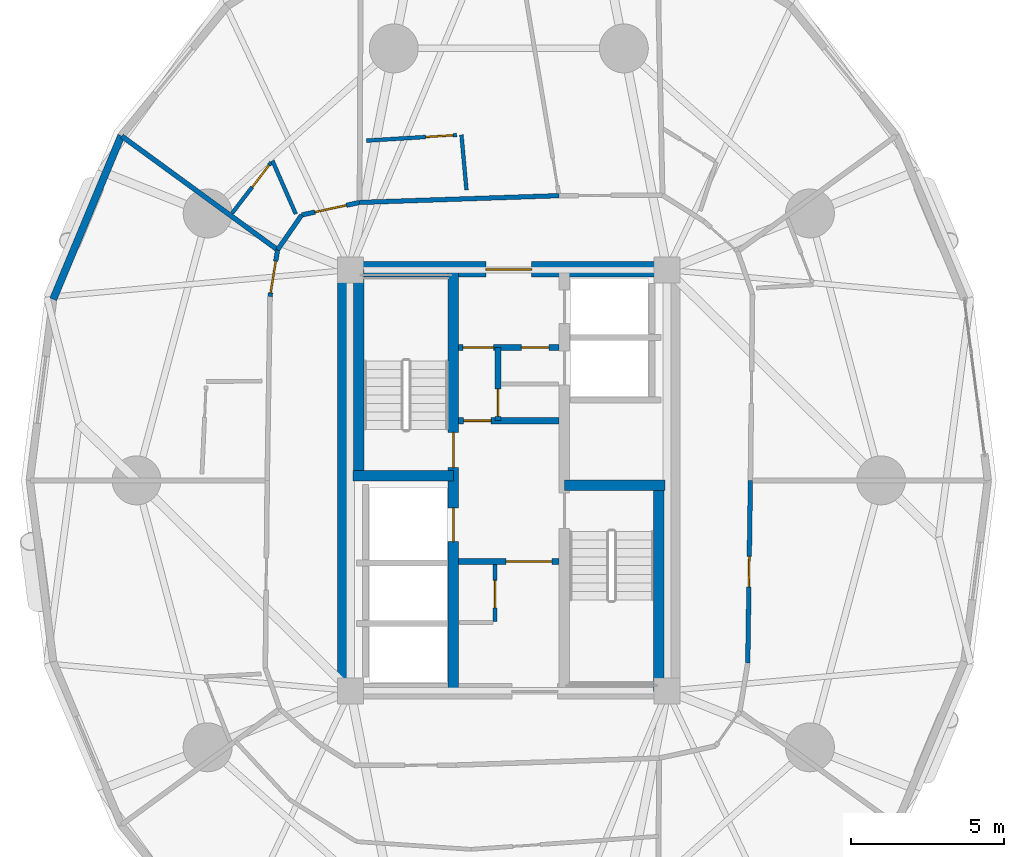
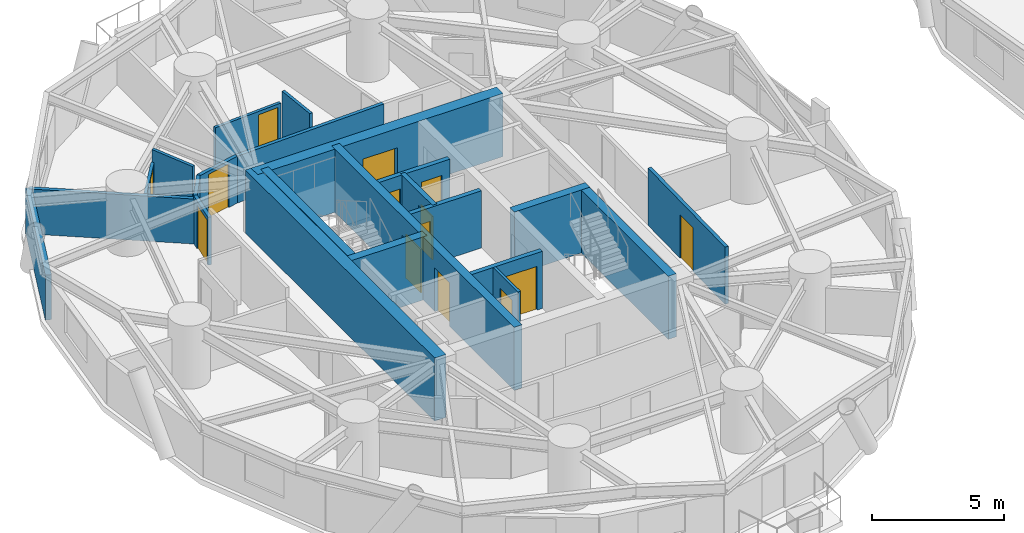
# One storey, part 10 of 18: 23 walls, 14 doors, 14 openings.
"""IFC4 building model written with IfcOpenShell, lengths in metres."""

import ifcopenshell
import ifcopenshell.guid

model = None  # the IFC model being written
_history = None  # IfcOwnerHistory: only IFC2X3 demands one
_inside = {}  # id of a spatial element -> (the spatial element, [elements in it])
_under = {}  # id of a project, library or spatial element -> (it, [spatial elements below it])
_declared = {}  # id of a project -> (the project, [libraries it declares])
_typed = {}  # id of a type object -> (the type object, [elements of that type])
_made_of = {}  # id of a material, layer set ... -> (it, [elements and type objects made of it])


def new_model(schema):
    """Start an empty IFC model of exactly this schema.

    Asked for "IFC4X3", IfcOpenShell would pick the latest addendum, in which some entities
    have other attributes; the version numbers below select the first issue.
    IFC2X3 requires an IfcOwnerHistory on every rooted entity: one is made here for all.
    """
    global model, _history
    if schema == "IFC4X3":
        model = ifcopenshell.file(schema_version=(4, 3, 0, 0))
    else:
        model = ifcopenshell.file(schema=schema)
    _inside.clear()
    _under.clear()
    _declared.clear()
    _typed.clear()
    _made_of.clear()
    _history = None
    if model.schema == "IFC2X3":
        org = make("IfcOrganization", Name="unknown")
        user = make(
            "IfcPersonAndOrganization",
            ThePerson=make("IfcPerson", FamilyName="unknown"),
            TheOrganization=org,
        )
        app = make(
            "IfcApplication",
            ApplicationDeveloper=org,
            Version="unknown",
            ApplicationFullName="unknown",
            ApplicationIdentifier="unknown",
        )
        _history = make(
            "IfcOwnerHistory",
            OwningUser=user,
            OwningApplication=app,
            ChangeAction="ADDED",
            CreationDate=0,
        )
    return model


def make(cls, **values):
    """One entity of the class cls with the attributes given. An attribute that is None is left unset."""
    return model.create_entity(
        cls, **{name: value for name, value in values.items() if value is not None}
    )


def rooted(cls, **values):
    """An entity with a GlobalId (a new one), such as an element, a storey or a relation."""
    return make(cls, GlobalId=ifcopenshell.guid.new(), OwnerHistory=_history, **values)


def si_unit(unit_type, name, prefix=None):
    """IfcSIUnit, for example si_unit("LENGTHUNIT", "METRE", prefix="MILLI")."""
    return make("IfcSIUnit", UnitType=unit_type, Prefix=prefix, Name=name)


def assignment(units):
    """IfcUnitAssignment: the units of a project."""
    return None if units is None else make("IfcUnitAssignment", Units=units)


def point(xyz):
    """IfcCartesianPoint."""
    return None if xyz is None else make("IfcCartesianPoint", Coordinates=xyz)


def direction(xyz):
    """IfcDirection."""
    return None if xyz is None else make("IfcDirection", DirectionRatios=xyz)


def frame(location, z_axis=None, x_axis=None):
    """IfcAxis2Placement3D, a coordinate frame: its origin and axes. An axis left out is left unset."""
    return make(
        "IfcAxis2Placement3D",
        Location=point(location),
        Axis=direction(z_axis),
        RefDirection=direction(x_axis),
    )


def frame_2d(location, x_axis=None):
    """IfcAxis2Placement2D, a coordinate frame in the plane: its origin and x axis."""
    return make(
        "IfcAxis2Placement2D", Location=point(location), RefDirection=direction(x_axis)
    )


def origin():
    """The frame at (0, 0, 0) with its axes left unset."""
    return frame((0.0, 0.0, 0.0))


def place(relative_to, where):
    """IfcLocalPlacement: puts the frame where relative to a parent placement (None: the world)."""
    return make(
        "IfcLocalPlacement", PlacementRelTo=relative_to, RelativePlacement=where
    )


def context(
    kind, dimensions, precision=None, world=None, true_north=None, identifier=None
):
    """IfcGeometricRepresentationContext, for example the 3D "Model" context."""
    return make(
        "IfcGeometricRepresentationContext",
        ContextIdentifier=identifier,
        ContextType=kind,
        CoordinateSpaceDimension=dimensions,
        Precision=precision,
        WorldCoordinateSystem=world,
        TrueNorth=true_north,
    )


def subcontext(parent, identifier, kind, view, scale=None):
    """IfcGeometricRepresentationSubContext, for example "Body" below "Model"."""
    return make(
        "IfcGeometricRepresentationSubContext",
        ContextIdentifier=identifier,
        ContextType=kind,
        ParentContext=parent,
        TargetScale=scale,
        TargetView=view,
    )


def project(units=None, contexts=None):
    """IfcProject with its units and contexts."""
    return rooted(
        "IfcProject",
        Name="project",
        RepresentationContexts=contexts,
        UnitsInContext=assignment(units),
    )


def spatial(cls, under=None, at=None, **own):
    """A site, building, storey or space (cls), placed at a placement, below another one or the project."""
    s = rooted(cls, ObjectPlacement=at, **own)
    if under is not None:
        _under.setdefault(under.id(), (under, []))[1].append(s)
    return s


def profile(cls, at=None, kind="AREA", **sizes):
    """A parametric profile (cls). Its sizes go by their IFC names, for example OverallWidth=200.0."""
    return make(cls, ProfileType=kind, Position=at, **sizes)


def rectangle(**sizes):
    """IfcRectangleProfileDef."""
    return profile("IfcRectangleProfileDef", **sizes)


def extrude(swept, where, along, depth):
    """IfcExtrudedAreaSolid: the profile swept, set in the frame where, extruded along a direction by depth."""
    return make(
        "IfcExtrudedAreaSolid",
        SweptArea=swept,
        Position=where,
        ExtrudedDirection=direction(along),
        Depth=depth,
    )


def shape(context_of_items, identifier, shape_type, items):
    """IfcShapeRepresentation: the items that make up one representation, for example the "Body"."""
    return make(
        "IfcShapeRepresentation",
        ContextOfItems=context_of_items,
        RepresentationIdentifier=identifier,
        RepresentationType=shape_type,
        Items=items,
    )


def source(mapping_origin, context_of_items, identifier, shape_type, items):
    """IfcRepresentationMap: a shape defined once, which mapped items show again and again."""
    return make(
        "IfcRepresentationMap",
        MappingOrigin=mapping_origin,
        MappedRepresentation=shape(context_of_items, identifier, shape_type, items),
    )


def transform(
    local_origin,
    x_axis=None,
    y_axis=None,
    z_axis=None,
    scale=None,
    scale2=None,
    scale3=None,
    uniform=True,
):
    """IfcCartesianTransformationOperator3D, or its non-uniform kind. x_axis, y_axis, z_axis: its Axis1, 2, 3."""
    if uniform:
        return make(
            "IfcCartesianTransformationOperator3D",
            Axis1=direction(x_axis),
            Axis2=direction(y_axis),
            LocalOrigin=point(local_origin),
            Scale=scale,
            Axis3=direction(z_axis),
        )
    return make(
        "IfcCartesianTransformationOperator3DnonUniform",
        Axis1=direction(x_axis),
        Axis2=direction(y_axis),
        LocalOrigin=point(local_origin),
        Scale=scale,
        Axis3=direction(z_axis),
        Scale2=scale2,
        Scale3=scale3,
    )


def mapped(mapping_source, mapping_target):
    """IfcMappedItem: shows the shape of a source again, moved by a transform."""
    return make(
        "IfcMappedItem", MappingSource=mapping_source, MappingTarget=mapping_target
    )


def material(Name=None, Category=None):
    """IfcMaterial."""
    return make("IfcMaterial", Name=Name, Category=Category)


def layer(
    of_material, thickness, ventilated=None, Name=None, Category=None, Priority=None
):
    """IfcMaterialLayer: one layer of a wall or slab, of a material (None: an air gap)."""
    return make(
        "IfcMaterialLayer",
        Material=of_material,
        LayerThickness=thickness,
        IsVentilated=ventilated,
        Name=Name,
        Category=Category,
        Priority=Priority,
    )


def layer_set(layers, Name=None):
    """IfcMaterialLayerSet."""
    return make("IfcMaterialLayerSet", MaterialLayers=layers, LayerSetName=Name)


def made_of(thing, what):
    """Note that an element or type object is made of a material, layer set ...; save() writes the relation."""
    if what is not None:
        _made_of.setdefault(what.id(), (what, []))[1].append(thing)
    return thing


def type_object(cls, material=None, **own):
    """A type object (cls), such as IfcWallType, which elements share."""
    return made_of(rooted(cls, **own), material)


def element(
    cls,
    number,
    at=None,
    inside=None,
    cuts=None,
    type_object=None,
    material=None,
    context=None,
    identifier="Body",
    shape_type=None,
    held_by="IfcProductDefinitionShape",
    body=None,
    shapes=None,
    **own,
):
    """One element of the class cls, such as IfcWall. Its Tag is "e" and its number.

    at: its placement. inside: the storey or other place that contains it. cuts: it is an
    opening in that element (IfcRelVoidsElement). A single representation is given by context,
    identifier, shape_type and body (its items); several are given by shapes. held_by: the class
    of the entity that holds the representations. save() writes the other relations.
    """
    e = rooted(cls, Tag="e%d" % number, ObjectPlacement=at, **own)
    if body is not None:
        shapes = [shape(context, identifier, shape_type, body)]
    if shapes is not None:
        e.Representation = make(held_by, Representations=shapes)
    if inside is not None:
        _inside.setdefault(inside.id(), (inside, []))[1].append(e)
    if cuts is not None:
        rooted(
            "IfcRelVoidsElement", RelatingBuildingElement=cuts, RelatedOpeningElement=e
        )
    if type_object is not None:
        _typed.setdefault(type_object.id(), (type_object, []))[1].append(e)
    return made_of(e, material)


def fill(opening, filler):
    """IfcRelFillsElement: the door or window that sits in an opening."""
    return rooted(
        "IfcRelFillsElement",
        RelatingOpeningElement=opening,
        RelatedBuildingElement=filler,
    )


def aggregate(whole, parts):
    """IfcRelAggregates: a whole, such as a stair, and the parts it consists of."""
    return rooted("IfcRelAggregates", RelatingObject=whole, RelatedObjects=parts)


def save(model, path):
    """Write the relations noted so far, then the file.

    IfcRelAggregates (storeys below a building ...), IfcRelContainedInSpatialStructure (elements
    in a storey), IfcRelDefinesByType, IfcRelAssociatesMaterial and IfcRelDeclares: one each for
    every whole, place, type object, material and project.
    """
    for whole, parts in _under.values():
        aggregate(whole, parts)
    for where, things in _inside.values():
        rooted(
            "IfcRelContainedInSpatialStructure",
            RelatedElements=things,
            RelatingStructure=where,
        )
    for kind, things in _typed.values():
        rooted("IfcRelDefinesByType", RelatedObjects=things, RelatingType=kind)
    for what, things in _made_of.values():
        rooted("IfcRelAssociatesMaterial", RelatedObjects=things, RelatingMaterial=what)
    for by, libraries in _declared.values():
        rooted("IfcRelDeclares", RelatingContext=by, RelatedDefinitions=libraries)
    model.write(path)


model = new_model("IFC4")

# Units and contexts
model_context = context("Model", 3, precision=1e-05, world=origin(), true_north=direction((0.0, 1.0)))
body_context = subcontext(model_context, "Body", "Model", "MODEL_VIEW")
ifc_project = project(units=[si_unit("LENGTHUNIT", "METRE"), si_unit("AREAUNIT", "SQUARE_METRE"), si_unit("VOLUMEUNIT", "CUBIC_METRE"), si_unit("PLANEANGLEUNIT", "RADIAN"), si_unit("MASSUNIT", "GRAM", prefix="KILO")], contexts=[model_context])

# Site, building, storey
site_placement = place(None, origin())
site = spatial("IfcSite", under=ifc_project, at=site_placement, CompositionType="ELEMENT")
building_placement = place(site_placement, origin())
building = spatial("IfcBuilding", under=site, at=building_placement, Name="Cununo Teusaquillo Station Towers", CompositionType="ELEMENT")
storey_placement = place(building_placement, frame((0.0, 0.0, 51.10009765625)))
storey = spatial("IfcBuildingStorey", under=building, at=storey_placement, Name="L15", CompositionType="ELEMENT", Elevation=51.10009765625)

# Wall, openings, doors
ifc_material_1 = material(Name="Concrete C50/60", Category="concrete")
ifc_layer_1 = layer(ifc_material_1, 0.35009765625)
ifc_layer_set_1 = layer_set([ifc_layer_1], Name="Concrete C50/60")
wall_type_1 = type_object("IfcWallType", Name="WL-CORE-350", PredefinedType="SHEAR", material=ifc_layer_set_1)
wall_1_placement = place(storey_placement, frame((14.68505859375, 17.60009765625, 0.0), z_axis=(0.0, 0.0, 1.0), x_axis=(0.0, 1.0, 0.0)))
wall_1 = element("IfcWall", 1, at=wall_1_placement, inside=storey, type_object=wall_type_1, Name="L15 Tower A Core Shear Wall IW", PredefinedType="SHEAR", context=body_context, shape_type="SweptSolid", body=[
    extrude(rectangle(XDim=13.7998046875, YDim=0.35009765625, at=frame_2d((6.89990234375, 0.0))), origin(), (0.0, 0.0, 1.0), 2.909912109375),
])
shared_shape_1 = source(origin(), body_context, "Body", "SweptSolid", [
    extrude(rectangle(XDim=1.10009765625, YDim=2.014892578125, at=frame_2d((0.550048828125, 1.00732421875))), frame((0.0, 0.18505859375, 0.0), z_axis=(0.0, -1.0, 0.0), x_axis=(1.0, 0.0, 0.0)), (0.0, 0.0, 1.0), 0.3701171875),
])
opening_1_placement = place(wall_1_placement, frame((4.89990234375, 0.0, 0.0)))
opening_1 = element("IfcOpeningElement", 2, at=opening_1_placement, cuts=wall_1, Name="Opening LD-01", PredefinedType="OPENING", context=body_context, shape_type="MappedRepresentation", body=[
    mapped(shared_shape_1, transform((0.0, 0.0, 0.0), x_axis=(1.0, 0.0, 0.0), y_axis=(0.0, 1.0, 0.0), z_axis=(0.0, 0.0, 1.0), scale=1.0)),
])
shared_shape_2 = source(origin(), body_context, "Body", "SweptSolid", [
    extrude(rectangle(XDim=1.14990234375, YDim=2.02001953125, at=frame_2d((0.574951171875, 1.010009765625))), frame((0.0, 0.18505859375, 0.0), z_axis=(0.0, -1.0, 0.0), x_axis=(1.0, 0.0, 0.0)), (0.0, 0.0, 1.0), 0.3701171875),
])
opening_2_placement = place(wall_1_placement, frame((7.320068359375, 0.0, 0.0)))
opening_2 = element("IfcOpeningElement", 3, at=opening_2_placement, cuts=wall_1, Name="Opening D-ST1", PredefinedType="OPENING", context=body_context, shape_type="MappedRepresentation", body=[
    mapped(shared_shape_2, transform((0.0, 0.0, 0.0), x_axis=(1.0, 0.0, 0.0), y_axis=(0.0, 1.0, 0.0), z_axis=(0.0, 0.0, 1.0), scale=1.0)),
])
ifc_material_2 = material(Name="Galvanised fire-rated hollow steel door assembly", Category="steel")
door_type_1 = type_object("IfcDoorType", Name="DR-LIFT-1100", OperationType="SLIDING_TO_LEFT", PredefinedType="DOOR", material=ifc_material_2)
shared_shape_3 = source(origin(), body_context, "Body", "SweptSolid", [
    extrude(rectangle(XDim=1.10009765625, YDim=2.014892578125, at=frame_2d((0.550048828125, 1.00732421875))), frame((0.0, 0.02490234375, 0.0), z_axis=(0.0, -1.0, 0.0), x_axis=(1.0, 0.0, 0.0)), (0.0, 0.0, 1.0), 0.050048828125),
])
door_1_placement = place(opening_1_placement, origin())
door_1 = element("IfcDoor", 4, at=door_1_placement, inside=storey, type_object=door_type_1, Name="L15 Lift FL-T1 Sliding Landing Door", OperationType="SLIDING_TO_RIGHT", OverallHeight=2.014892578125, OverallWidth=1.10009765625, PredefinedType="DOOR", context=body_context, shape_type="MappedRepresentation", body=[
    mapped(shared_shape_3, transform((0.0, 0.0, 0.0), x_axis=(1.0, 0.0, 0.0), y_axis=(0.0, 1.0, 0.0), z_axis=(0.0, 0.0, 1.0), scale=1.0)),
])
fill(opening_1, door_1)
ifc_material_3 = material(Name="Galvanised fire-rated hollow steel door assembly", Category="steel")
door_type_2 = type_object("IfcDoorType", Name="DR-STAIR-1150", OperationType="NOTDEFINED", PredefinedType="DOOR", material=ifc_material_3)
shared_shape_4 = source(origin(), body_context, "Body", "SweptSolid", [
    extrude(rectangle(XDim=1.14990234375, YDim=2.02001953125, at=frame_2d((0.574951171875, 1.010009765625))), frame((0.0, 0.02490234375, 0.0), z_axis=(0.0, -1.0, 0.0), x_axis=(1.0, 0.0, 0.0)), (0.0, 0.0, 1.0), 0.050048828125),
])
door_2_placement = place(opening_2_placement, origin())
door_2 = element("IfcDoor", 5, at=door_2_placement, inside=storey, type_object=door_type_2, Name="L15 Tower A Exit Stair 1 Fire Door", OperationType="SINGLE_SWING_RIGHT", OverallHeight=2.02001953125, OverallWidth=1.14990234375, PredefinedType="DOOR", context=body_context, shape_type="MappedRepresentation", body=[
    mapped(shared_shape_4, transform((0.0, 0.0, 0.0), x_axis=(1.0, 0.0, 0.0), y_axis=(0.0, 1.0, 0.0), z_axis=(0.0, 0.0, 1.0), scale=1.0)),
])
fill(opening_2, door_2)

# Walls
wall_2_placement = place(storey_placement, frame((11.594970703125, 24.655029296875, 0.0), z_axis=(0.0, 0.0, 1.0), x_axis=(0.0, 1.0, 0.0)))
element("IfcWall", 6, at=wall_2_placement, inside=storey, type_object=wall_type_1, Name="L15 Tower A Core Shear Wall ST1W", PredefinedType="SHEAR", context=body_context, shape_type="SweptSolid", body=[
    extrude(rectangle(XDim=6.744873046875, YDim=0.35009765625, at=frame_2d((3.37255859375, 0.0))), origin(), (0.0, 0.0, 1.0), 2.909912109375),
])
wall_3_placement = place(storey_placement, frame((11.39990234375, 24.655029296875, 0.0), z_axis=(0.0, 0.0, 1.0), x_axis=(1.0, 0.0, 0.0)))
element("IfcWall", 7, at=wall_3_placement, inside=storey, type_object=wall_type_1, Name="L15 Tower A Core Shear Wall ST1S", PredefinedType="SHEAR", context=body_context, shape_type="SweptSolid", body=[
    extrude(rectangle(XDim=3.28515625, YDim=0.35009765625, at=frame_2d((1.642578125, 0.0))), origin(), (0.0, 0.0, 1.0), 2.909912109375),
])
wall_4_placement = place(storey_placement, frame((21.405029296875, 17.60009765625, 0.0), z_axis=(0.0, 0.0, 1.0), x_axis=(0.0, 1.0, 0.0)))
element("IfcWall", 8, at=wall_4_placement, inside=storey, type_object=wall_type_1, Name="L15 Tower A Core Shear Wall ST2E", PredefinedType="SHEAR", context=body_context, shape_type="SweptSolid", body=[
    extrude(rectangle(XDim=6.744873046875, YDim=0.35009765625, at=frame_2d((3.37255859375, 0.0))), origin(), (0.0, 0.0, 1.0), 2.909912109375),
])
wall_5_placement = place(storey_placement, frame((18.31494140625, 24.344970703125, 0.0), z_axis=(0.0, 0.0, 1.0), x_axis=(1.0, 0.0, 0.0)))
element("IfcWall", 9, at=wall_5_placement, inside=storey, type_object=wall_type_1, Name="L15 Tower A Core Shear Wall ST2N", PredefinedType="SHEAR", context=body_context, shape_type="SweptSolid", body=[
    extrude(rectangle(XDim=3.28515625, YDim=0.35009765625, at=frame_2d((1.642578125, 0.0))), origin(), (0.0, 0.0, 1.0), 2.909912109375),
])
ifc_material_4 = material(Name="Concrete C60/75", Category="concrete")
ifc_layer_2 = layer(ifc_material_4, 0.5)
ifc_layer_set_2 = layer_set([ifc_layer_2], Name="Concrete C60/75")
wall_type_2 = type_object("IfcWallType", Name="WL-CORE-500", PredefinedType="SHEAR", material=ifc_layer_set_2)
wall_6_placement = place(storey_placement, frame((11.14990234375, 17.35009765625, 0.0), z_axis=(0.0, 0.0, 1.0), x_axis=(0.0, 1.0, 0.0)))
element("IfcWall", 10, at=wall_6_placement, inside=storey, type_object=wall_type_2, Name="L15 Tower A Core Shear Wall W", PredefinedType="SHEAR", context=body_context, shape_type="SweptSolid", body=[
    extrude(rectangle(XDim=14.2998046875, YDim=0.5, at=frame_2d((7.14990234375, 0.0))), origin(), (0.0, 0.0, 1.0), 2.909912109375),
])

# Wall, opening, door
wall_7_placement = place(storey_placement, frame((11.14990234375, 31.39990234375, 0.0), z_axis=(0.0, 0.0, 1.0), x_axis=(1.0, 0.0, 0.0)))
wall_7 = element("IfcWall", 11, at=wall_7_placement, inside=storey, type_object=wall_type_2, Name="L15 Tower A Core Shear Wall N", PredefinedType="SHEAR", context=body_context, shape_type="SweptSolid", body=[
    extrude(rectangle(XDim=10.7001953125, YDim=0.5, at=frame_2d((5.35009765625, 0.0))), origin(), (0.0, 0.0, 1.0), 2.909912109375),
])
shared_shape_5 = source(origin(), body_context, "Body", "SweptSolid", [
    extrude(rectangle(XDim=1.5, YDim=2.02001953125, at=frame_2d((0.75, 1.010009765625))), frame((0.0, 0.260009765625, 0.0), z_axis=(0.0, -1.0, 0.0), x_axis=(1.0, 0.0, 0.0)), (0.0, 0.0, 1.0), 0.52001953125),
])
opening_3_placement = place(wall_7_placement, frame((4.60009765625, 0.0, 0.0)))
opening_3 = element("IfcOpeningElement", 12, at=opening_3_placement, cuts=wall_7, Name="Opening D-LB1", PredefinedType="OPENING", context=body_context, shape_type="MappedRepresentation", body=[
    mapped(shared_shape_5, transform((0.0, 0.0, 0.0), x_axis=(1.0, 0.0, 0.0), y_axis=(0.0, 1.0, 0.0), z_axis=(0.0, 0.0, 1.0), scale=1.0)),
])
ifc_material_5 = material(Name="Galvanised fire-rated hollow steel door assembly", Category="steel")
door_type_3 = type_object("IfcDoorType", Name="DR-LOBBY-1500", OperationType="DOUBLE_DOOR_SINGLE_SWING", PredefinedType="DOOR", material=ifc_material_5)
shared_shape_6 = source(origin(), body_context, "Body", "SweptSolid", [
    extrude(rectangle(XDim=1.5, YDim=2.02001953125, at=frame_2d((0.75, 1.010009765625))), frame((0.0, 0.02490234375, 0.0), z_axis=(0.0, -1.0, 0.0), x_axis=(1.0, 0.0, 0.0)), (0.0, 0.0, 1.0), 0.050048828125),
])
door_3_placement = place(opening_3_placement, origin())
door_3 = element("IfcDoor", 13, at=door_3_placement, inside=storey, type_object=door_type_3, Name="L15 Tower A North Core Lift Lobby Door", OperationType="DOUBLE_DOOR_SINGLE_SWING", OverallHeight=2.02001953125, OverallWidth=1.5, PredefinedType="DOOR", context=body_context, shape_type="MappedRepresentation", body=[
    mapped(shared_shape_6, transform((0.0, 0.0, 0.0), x_axis=(1.0, 0.0, 0.0), y_axis=(0.0, 1.0, 0.0), z_axis=(0.0, 0.0, 1.0), scale=1.0)),
])
fill(opening_3, door_3)

# Wall
ifc_material_6 = material(Name="Precast concrete C40/50", Category="concrete")
ifc_layer_3 = layer(ifc_material_6, 0.239990234375)
ifc_layer_set_3 = layer_set([ifc_layer_3], Name="Precast concrete C40/50")
wall_type_3 = type_object("IfcWallType", Name="WL-EXT-240", PredefinedType="SOLIDWALL", material=ifc_layer_set_3)
wall_8_placement = place(storey_placement, frame((1.603515625, 30.423828125, 0.0), z_axis=(0.0, 0.0, 1.0), x_axis=(0.384348836956, 0.923187939442, 0.0)))
element("IfcWall", 14, at=wall_8_placement, inside=storey, type_object=wall_type_3, Name="L15 Tower A Exterior Facade Wall C08", PredefinedType="SOLIDWALL", context=body_context, shape_type="SweptSolid", body=[
    extrude(rectangle(XDim=5.78857421875, YDim=0.239990234375, at=frame_2d((2.894287109375, 0.0))), origin(), (0.0, 0.0, 1.0), 2.072998046875),
])

# Wall, opening, door
ifc_material_7 = material(Name="Fire-rated gypsum plasterboard partition assembly", Category="gypsum")
ifc_layer_4 = layer(ifc_material_7, 0.125)
ifc_layer_set_4 = layer_set([ifc_layer_4], Name="Fire-rated gypsum plasterboard partition assembly")
wall_type_4 = type_object("IfcWallType", Name="WL-PART-125", PredefinedType="PARTITIONING", material=ifc_layer_set_4)
wall_9_placement = place(storey_placement, frame((16.050048828125, 19.8798828125, 0.0), z_axis=(0.0, 0.0, 1.0), x_axis=(0.0, 1.0, 0.0)))
wall_9 = element("IfcWall", 15, at=wall_9_placement, inside=storey, type_object=wall_type_4, Name="L15 Tower A North-West Lobby Store East Wall", PredefinedType="PARTITIONING", context=body_context, shape_type="SweptSolid", body=[
    extrude(rectangle(XDim=1.8701171875, YDim=0.125, at=frame_2d((0.93505859375, 0.0))), origin(), (0.0, 0.0, 1.0), 2.635009765625),
])
shared_shape_7 = source(origin(), body_context, "Body", "SweptSolid", [
    extrude(rectangle(XDim=0.89990234375, YDim=2.0048828125, at=frame_2d((0.449951171875, 1.00244140625))), frame((0.0, 0.072509765625, 0.0), z_axis=(0.0, -1.0, 0.0), x_axis=(1.0, 0.0, 0.0)), (0.0, 0.0, 1.0), 0.14501953125),
])
opening_4_placement = place(wall_9_placement, frame((0.449951171875, 0.0, 0.0)))
opening_4 = element("IfcOpeningElement", 16, at=opening_4_placement, cuts=wall_9, Name="Opening D-SR1", PredefinedType="OPENING", context=body_context, shape_type="MappedRepresentation", body=[
    mapped(shared_shape_7, transform((0.0, 0.0, 0.0), x_axis=(1.0, 0.0, 0.0), y_axis=(0.0, 1.0, 0.0), z_axis=(0.0, 0.0, 1.0), scale=1.0)),
])
ifc_material_8 = material(Name="Galvanised fire-rated hollow steel door assembly", Category="steel")
door_type_4 = type_object("IfcDoorType", Name="DR-STORE-900", OperationType="NOTDEFINED", PredefinedType="DOOR", material=ifc_material_8)
shared_shape_8 = source(origin(), body_context, "Body", "SweptSolid", [
    extrude(rectangle(XDim=0.89990234375, YDim=2.0048828125, at=frame_2d((0.449951171875, 1.00244140625))), frame((0.0, 0.02490234375, 0.0), z_axis=(0.0, -1.0, 0.0), x_axis=(1.0, 0.0, 0.0)), (0.0, 0.0, 1.0), 0.050048828125),
])
door_4_placement = place(opening_4_placement, origin())
door_4 = element("IfcDoor", 17, at=door_4_placement, inside=storey, type_object=door_type_4, Name="L15 Tower A South Lobby Data Store Door", OperationType="SINGLE_SWING_RIGHT", OverallHeight=2.0048828125, OverallWidth=0.89990234375, PredefinedType="DOOR", context=body_context, shape_type="MappedRepresentation", body=[
    mapped(shared_shape_8, transform((0.0, 0.0, 0.0), x_axis=(1.0, 0.0, 0.0), y_axis=(0.0, 1.0, 0.0), z_axis=(0.0, 0.0, 1.0), scale=1.0)),
])
fill(opening_4, door_4)

# Wall
wall_10_placement = place(storey_placement, frame((15.1162109375, 33.992919921875, 0.0), z_axis=(0.0, 0.0, 1.0), x_axis=(-0.090547877021, 0.995892103577, 0.0)))
element("IfcWall", 18, at=wall_10_placement, inside=storey, type_object=wall_type_4, Name="L15 Tower A S03 En-suite Side Wall", PredefinedType="PARTITIONING", context=body_context, shape_type="SweptSolid", body=[
    extrude(rectangle(XDim=1.814697265625, YDim=0.125, at=frame_2d((0.9072265625, 0.0))), origin(), (0.0, 0.0, 1.0), 2.635009765625),
])

# Wall, opening, door
wall_11_placement = place(storey_placement, frame((14.798095703125, 35.79052734375, 0.0), z_axis=(0.0, 0.0, 1.0), x_axis=(-0.998108365817, -0.06147918417, 0.0)))
wall_11 = element("IfcWall", 19, at=wall_11_placement, inside=storey, type_object=wall_type_4, Name="L15 Tower A S03 En-suite Back Wall", PredefinedType="PARTITIONING", context=body_context, shape_type="SweptSolid", body=[
    extrude(rectangle(XDim=2.95849609375, YDim=0.125, at=frame_2d((1.479248046875, 0.0))), origin(), (0.0, 0.0, 1.0), 2.158935546875),
])
opening_5_placement = place(wall_11_placement, frame((0.1201171875, 0.0, 0.0)))
opening_5 = element("IfcOpeningElement", 20, at=opening_5_placement, cuts=wall_11, Name="Opening D-IN1", PredefinedType="OPENING", context=body_context, shape_type="MappedRepresentation", body=[
    mapped(shared_shape_7, transform((0.0, 0.0, 0.0), x_axis=(1.0, 0.0, 0.0), y_axis=(0.0, 1.0, 0.0), z_axis=(0.0, 0.0, 1.0), scale=1.0)),
])
ifc_material_9 = material(Name="Acoustic solid-core hardwood leaf assembly", Category="wood")
door_type_5 = type_object("IfcDoorType", Name="DR-INT-900", OperationType="NOTDEFINED", PredefinedType="DOOR", material=ifc_material_9)
door_5_placement = place(opening_5_placement, origin())
door_5 = element("IfcDoor", 21, at=door_5_placement, inside=storey, type_object=door_type_5, Name="L15 Tower A S03 En-suite Bathroom Door", OperationType="SINGLE_SWING_LEFT", OverallHeight=2.0048828125, OverallWidth=0.89990234375, PredefinedType="DOOR", context=body_context, shape_type="MappedRepresentation", body=[
    mapped(shared_shape_8, transform((0.0, 0.0, 0.0), x_axis=(1.0, 0.0, 0.0), y_axis=(0.0, 1.0, 0.0), z_axis=(0.0, 0.0, 1.0), scale=1.0)),
])
fill(opening_5, door_5)

# Wall
wall_12_placement = place(storey_placement, frame((9.53515625, 33.210693359375, 0.0), z_axis=(0.0, 0.0, 1.0), x_axis=(-0.401687955793, 0.915776602765, 0.0)))
element("IfcWall", 22, at=wall_12_placement, inside=storey, type_object=wall_type_4, Name="L15 Tower A S04 En-suite Side Wall", PredefinedType="PARTITIONING", context=body_context, shape_type="SweptSolid", body=[
    extrude(rectangle(XDim=1.900634765625, YDim=0.125, at=frame_2d((0.9501953125, 0.0))), origin(), (0.0, 0.0, 1.0), 2.635009765625),
])

# Wall, opening, door
wall_13_placement = place(storey_placement, frame((8.731689453125, 34.8994140625, 0.0), z_axis=(0.0, 0.0, 1.0), x_axis=(-0.609677010074, -0.792649950096, 0.0)))
wall_13 = element("IfcWall", 23, at=wall_13_placement, inside=storey, type_object=wall_type_4, Name="L15 Tower A S04 En-suite Back Wall", PredefinedType="PARTITIONING", context=body_context, shape_type="SweptSolid", body=[
    extrude(rectangle(XDim=2.097412109375, YDim=0.125, at=frame_2d((1.048828125, 0.0))), origin(), (0.0, 0.0, 1.0), 2.072998046875),
])
opening_6_placement = place(wall_13_placement, frame((0.1201171875, 0.0, 0.0)))
opening_6 = element("IfcOpeningElement", 24, at=opening_6_placement, cuts=wall_13, Name="Opening D-IN1", PredefinedType="OPENING", context=body_context, shape_type="MappedRepresentation", body=[
    mapped(shared_shape_7, transform((0.0, 0.0, 0.0), x_axis=(1.0, 0.0, 0.0), y_axis=(0.0, 1.0, 0.0), z_axis=(0.0, 0.0, 1.0), scale=1.0)),
])
door_6_placement = place(opening_6_placement, origin())
door_6 = element("IfcDoor", 25, at=door_6_placement, inside=storey, type_object=door_type_5, Name="L15 Tower A S04 En-suite Bathroom Door", OperationType="SINGLE_SWING_LEFT", OverallHeight=2.0048828125, OverallWidth=0.89990234375, PredefinedType="DOOR", context=body_context, shape_type="MappedRepresentation", body=[
    mapped(shared_shape_8, transform((0.0, 0.0, 0.0), x_axis=(1.0, 0.0, 0.0), y_axis=(0.0, 1.0, 0.0), z_axis=(0.0, 0.0, 1.0), scale=1.0)),
])
fill(opening_6, door_6)

# Wall
ifc_material_10 = material(Name="Fire-rated gypsum plasterboard partition assembly", Category="gypsum")
ifc_layer_5 = layer(ifc_material_10, 0.14990234375)
ifc_layer_set_5 = layer_set([ifc_layer_5], Name="Fire-rated gypsum plasterboard partition assembly")
wall_type_5 = type_object("IfcWallType", Name="WL-PART-150", PredefinedType="PARTITIONING", material=ifc_layer_set_5)
wall_14_placement = place(storey_placement, frame((18.142822265625, 33.8095703125, 0.0), z_axis=(0.0, 0.0, 1.0), x_axis=(-0.999423023908, -0.033964971394, 0.0)))
element("IfcWall", 26, at=wall_14_placement, inside=storey, type_object=wall_type_5, Name="L15 Tower A Corridor Ring Wall C05", PredefinedType="PARTITIONING", context=body_context, shape_type="SweptSolid", body=[
    extrude(rectangle(XDim=6.526611328125, YDim=0.14990234375, at=frame_2d((3.26318359375, 0.0))), origin(), (0.0, 0.0, 1.0), 2.158935546875),
])

# Wall, opening, door
wall_15_placement = place(storey_placement, frame((11.619873046875, 33.587890625, 0.0), z_axis=(0.0, 0.0, 1.0), x_axis=(-0.977392314559, -0.211433827571, 0.0)))
wall_15 = element("IfcWall", 27, at=wall_15_placement, inside=storey, type_object=wall_type_5, Name="L15 Tower A Corridor Ring Wall C06", PredefinedType="PARTITIONING", context=body_context, shape_type="SweptSolid", body=[
    extrude(rectangle(XDim=1.93408203125, YDim=0.14990234375, at=frame_2d((0.967041015625, 0.0))), origin(), (0.0, 0.0, 1.0), 2.158935546875),
])
shared_shape_9 = source(origin(), body_context, "Body", "SweptSolid", [
    extrude(rectangle(XDim=1.050048828125, YDim=2.014892578125, at=frame_2d((0.52490234375, 1.00732421875))), frame((0.0, 0.0849609375, 0.0), z_axis=(0.0, -1.0, 0.0), x_axis=(1.0, 0.0, 0.0)), (0.0, 0.0, 1.0), 0.169921875),
])
opening_7_placement = place(wall_15_placement, frame((0.44189453125, 0.0, 0.0)))
opening_7 = element("IfcOpeningElement", 28, at=opening_7_placement, cuts=wall_15, Name="Opening D-SU1", PredefinedType="OPENING", context=body_context, shape_type="MappedRepresentation", body=[
    mapped(shared_shape_9, transform((0.0, 0.0, 0.0), x_axis=(1.0, 0.0, 0.0), y_axis=(0.0, 1.0, 0.0), z_axis=(0.0, 0.0, 1.0), scale=1.0)),
])
ifc_material_11 = material(Name="Acoustic solid-core hardwood leaf assembly", Category="wood")
door_type_6 = type_object("IfcDoorType", Name="DR-SUITE-1050", OperationType="NOTDEFINED", PredefinedType="DOOR", material=ifc_material_11)
shared_shape_10 = source(origin(), body_context, "Body", "SweptSolid", [
    extrude(rectangle(XDim=1.050048828125, YDim=2.014892578125, at=frame_2d((0.52490234375, 1.00732421875))), frame((0.0, 0.02490234375, 0.0), z_axis=(0.0, -1.0, 0.0), x_axis=(1.0, 0.0, 0.0)), (0.0, 0.0, 1.0), 0.050048828125),
])
door_7_placement = place(opening_7_placement, origin())
door_7 = element("IfcDoor", 29, at=door_7_placement, inside=storey, type_object=door_type_6, Name="L15 Tower A Chancellor Corner Hotel Suite Entrance Door", OperationType="SINGLE_SWING_RIGHT", OverallHeight=2.014892578125, OverallWidth=1.050048828125, PredefinedType="DOOR", context=body_context, shape_type="MappedRepresentation", body=[
    mapped(shared_shape_10, transform((0.0, 0.0, 0.0), x_axis=(1.0, 0.0, 0.0), y_axis=(0.0, 1.0, 0.0), z_axis=(0.0, 0.0, 1.0), scale=1.0)),
])
fill(opening_7, door_7)

# Wall
wall_16_placement = place(storey_placement, frame((9.7294921875, 33.178955078125, 0.0), z_axis=(0.0, 0.0, 1.0), x_axis=(-0.569155068352, -0.822230203878, 0.0)))
element("IfcWall", 30, at=wall_16_placement, inside=storey, type_object=wall_type_5, Name="L15 Tower A Corridor Ring Wall C07", PredefinedType="PARTITIONING", context=body_context, shape_type="SweptSolid", body=[
    extrude(rectangle(XDim=1.38720703125, YDim=0.14990234375, at=frame_2d((0.693603515625, 0.0))), origin(), (0.0, 0.0, 1.0), 2.158935546875),
])

# Wall, opening, door
wall_17_placement = place(storey_placement, frame((8.93994140625, 32.038330078125, 0.0), z_axis=(0.0, 0.0, 1.0), x_axis=(-0.159917336462, -0.987130409571, 0.0)))
wall_17 = element("IfcWall", 31, at=wall_17_placement, inside=storey, type_object=wall_type_5, Name="L15 Tower A Corridor Ring Wall C08", PredefinedType="PARTITIONING", context=body_context, shape_type="SweptSolid", body=[
    extrude(rectangle(XDim=1.546630859375, YDim=0.14990234375, at=frame_2d((0.7734375, 0.0))), origin(), (0.0, 0.0, 1.0), 2.204833984375),
])
opening_8_placement = place(wall_17_placement, frame((0.376708984375, 0.0, 0.0)))
opening_8 = element("IfcOpeningElement", 32, at=opening_8_placement, cuts=wall_17, Name="Opening D-SU1", PredefinedType="OPENING", context=body_context, shape_type="MappedRepresentation", body=[
    mapped(shared_shape_9, transform((0.0, 0.0, 0.0), x_axis=(1.0, 0.0, 0.0), y_axis=(0.0, 1.0, 0.0), z_axis=(0.0, 0.0, 1.0), scale=1.0)),
])
door_8_placement = place(opening_8_placement, origin())
door_8 = element("IfcDoor", 33, at=door_8_placement, inside=storey, type_object=door_type_6, Name="L15 Tower A Consular Hospitality Suite Entrance Door", OperationType="SINGLE_SWING_RIGHT", OverallHeight=2.014892578125, OverallWidth=1.050048828125, PredefinedType="DOOR", context=body_context, shape_type="MappedRepresentation", body=[
    mapped(shared_shape_10, transform((0.0, 0.0, 0.0), x_axis=(1.0, 0.0, 0.0), y_axis=(0.0, 1.0, 0.0), z_axis=(0.0, 0.0, 1.0), scale=1.0)),
])
fill(opening_8, door_8)

wall_18_placement = place(storey_placement, frame((24.3134765625, 18.52880859375, 0.0), z_axis=(0.0, 0.0, 1.0), x_axis=(0.014472275982, 0.99989527113, 0.0)))
wall_18 = element("IfcWall", 34, at=wall_18_placement, inside=storey, type_object=wall_type_5, Name="L15 Tower A Corridor Ring Wall C19", PredefinedType="PARTITIONING", context=body_context, shape_type="SweptSolid", body=[
    extrude(rectangle(XDim=5.971923828125, YDim=0.14990234375, at=frame_2d((2.98583984375, 0.0))), origin(), (0.0, 0.0, 1.0), 2.635009765625),
])
shared_shape_11 = source(origin(), body_context, "Body", "SweptSolid", [
    extrude(rectangle(XDim=1.0, YDim=2.014892578125, at=frame_2d((0.5, 1.00732421875))), frame((0.0, 0.0849609375, 0.0), z_axis=(0.0, -1.0, 0.0), x_axis=(1.0, 0.0, 0.0)), (0.0, 0.0, 1.0), 0.169921875),
])
opening_9_placement = place(wall_18_placement, frame((2.486083984375, 0.0, 0.0)))
opening_9 = element("IfcOpeningElement", 35, at=opening_9_placement, cuts=wall_18, Name="Opening D-AC1", PredefinedType="OPENING", context=body_context, shape_type="MappedRepresentation", body=[
    mapped(shared_shape_11, transform((0.0, 0.0, 0.0), x_axis=(1.0, 0.0, 0.0), y_axis=(0.0, 1.0, 0.0), z_axis=(0.0, 0.0, 1.0), scale=1.0)),
])
ifc_material_12 = material(Name="Acoustic solid-core hardwood leaf assembly", Category="wood")
door_type_7 = type_object("IfcDoorType", Name="DR-ACC-1000", OperationType="NOTDEFINED", PredefinedType="DOOR", material=ifc_material_12)
shared_shape_12 = source(origin(), body_context, "Body", "SweptSolid", [
    extrude(rectangle(XDim=1.0, YDim=2.014892578125, at=frame_2d((0.5, 1.00732421875))), frame((0.0, 0.02490234375, 0.0), z_axis=(0.0, -1.0, 0.0), x_axis=(1.0, 0.0, 0.0)), (0.0, 0.0, 1.0), 0.050048828125),
])
door_9_placement = place(opening_9_placement, origin())
door_9 = element("IfcDoor", 36, at=door_9_placement, inside=storey, type_object=door_type_7, Name="L15 Tower A Public Accessible Restroom WC Entrance Door", OperationType="SINGLE_SWING_LEFT", OverallHeight=2.014892578125, OverallWidth=1.0, PredefinedType="DOOR", context=body_context, shape_type="MappedRepresentation", body=[
    mapped(shared_shape_12, transform((0.0, 0.0, 0.0), x_axis=(1.0, 0.0, 0.0), y_axis=(0.0, 1.0, 0.0), z_axis=(0.0, 0.0, 1.0), scale=1.0)),
])
fill(opening_9, door_9)

# Wall
ifc_material_13 = material(Name="Fire-rated gypsum plasterboard partition assembly", Category="gypsum")
ifc_layer_6 = layer(ifc_material_13, 0.159912109375)
ifc_layer_set_6 = layer_set([ifc_layer_6], Name="Fire-rated gypsum plasterboard partition assembly")
wall_type_6 = type_object("IfcWallType", Name="WL-PART-160", PredefinedType="PARTITIONING", material=ifc_layer_set_6)
wall_19_placement = place(storey_placement, frame((8.93994140625, 32.038330078125, 0.0), z_axis=(0.0, 0.0, 1.0), x_axis=(-0.807831293846, 0.58941377714, 0.0)))
element("IfcWall", 37, at=wall_19_placement, inside=storey, type_object=wall_type_6, Name="L15 Tower A Radial Suite Partition R05", PredefinedType="PARTITIONING", context=body_context, shape_type="SweptSolid", body=[
    extrude(rectangle(XDim=6.3076171875, YDim=0.159912109375, at=frame_2d((3.15380859375, 0.0))), origin(), (0.0, 0.0, 1.0), 2.072998046875),
])

# Wall, opening, door
ifc_material_14 = material(Name="Fire-rated gypsum plasterboard partition assembly", Category="gypsum")
ifc_layer_7 = layer(ifc_material_14, 0.199951171875)
ifc_layer_set_7 = layer_set([ifc_layer_7], Name="Fire-rated gypsum plasterboard partition assembly")
wall_type_7 = type_object("IfcWallType", Name="WL-PART-200", PredefinedType="PARTITIONING", material=ifc_layer_set_7)
wall_20_placement = place(storey_placement, frame((14.860107421875, 21.85009765625, 0.0), z_axis=(0.0, 0.0, 1.0), x_axis=(1.0, 0.0, 0.0)))
wall_20 = element("IfcWall", 38, at=wall_20_placement, inside=storey, type_object=wall_type_7, Name="L15 Tower A Firefighting Lift Lobby South Fire Wall", PredefinedType="PARTITIONING", context=body_context, shape_type="SweptSolid", body=[
    extrude(rectangle(XDim=3.27978515625, YDim=0.199951171875, at=frame_2d((1.639892578125, 0.0))), origin(), (0.0, 0.0, 1.0), 2.635009765625),
])
shared_shape_13 = source(origin(), body_context, "Body", "SweptSolid", [
    extrude(rectangle(XDim=1.5, YDim=2.02001953125, at=frame_2d((0.75, 1.010009765625))), frame((0.0, 0.10986328125, 0.0), z_axis=(0.0, -1.0, 0.0), x_axis=(1.0, 0.0, 0.0)), (0.0, 0.0, 1.0), 0.219970703125),
])
opening_10_placement = place(wall_20_placement, frame((1.550048828125, 0.0, 0.0)))
opening_10 = element("IfcOpeningElement", 39, at=opening_10_placement, cuts=wall_20, Name="Opening D-LB1", PredefinedType="OPENING", context=body_context, shape_type="MappedRepresentation", body=[
    mapped(shared_shape_13, transform((0.0, 0.0, 0.0), x_axis=(1.0, 0.0, 0.0), y_axis=(0.0, 1.0, 0.0), z_axis=(0.0, 0.0, 1.0), scale=1.0)),
])
door_10_placement = place(opening_10_placement, origin())
door_10 = element("IfcDoor", 40, at=door_10_placement, inside=storey, type_object=door_type_3, Name="L15 Tower A Firefighting Lift Lobby South Fire Door", OperationType="DOUBLE_DOOR_SINGLE_SWING", OverallHeight=2.02001953125, OverallWidth=1.5, PredefinedType="DOOR", context=body_context, shape_type="MappedRepresentation", body=[
    mapped(shared_shape_6, transform((0.0, 0.0, 0.0), x_axis=(1.0, 0.0, 0.0), y_axis=(0.0, 1.0, 0.0), z_axis=(0.0, 0.0, 1.0), scale=1.0)),
])
fill(opening_10, door_10)

wall_21_placement = place(storey_placement, frame((14.860107421875, 26.449951171875, 0.0), z_axis=(0.0, 0.0, 1.0), x_axis=(1.0, 0.0, 0.0)))
wall_21 = element("IfcWall", 41, at=wall_21_placement, inside=storey, type_object=wall_type_7, Name="L15 Tower A Firefighting Lift Lobby North Fire Wall", PredefinedType="PARTITIONING", context=body_context, shape_type="SweptSolid", body=[
    extrude(rectangle(XDim=3.27978515625, YDim=0.199951171875, at=frame_2d((1.639892578125, 0.0))), origin(), (0.0, 0.0, 1.0), 2.635009765625),
])
shared_shape_14 = source(origin(), body_context, "Body", "SweptSolid", [
    extrude(rectangle(XDim=0.89990234375, YDim=2.0048828125, at=frame_2d((0.449951171875, 1.00244140625))), frame((0.0, 0.10986328125, 0.0), z_axis=(0.0, -1.0, 0.0), x_axis=(1.0, 0.0, 0.0)), (0.0, 0.0, 1.0), 0.219970703125),
])
opening_11_placement = place(wall_21_placement, frame((0.159912109375, 0.0, 0.0)))
opening_11 = element("IfcOpeningElement", 42, at=opening_11_placement, cuts=wall_21, Name="Opening D-SR1", PredefinedType="OPENING", context=body_context, shape_type="MappedRepresentation", body=[
    mapped(shared_shape_14, transform((0.0, 0.0, 0.0), x_axis=(1.0, 0.0, 0.0), y_axis=(0.0, 1.0, 0.0), z_axis=(0.0, 0.0, 1.0), scale=1.0)),
])
door_11_placement = place(opening_11_placement, origin())
door_11 = element("IfcDoor", 43, at=door_11_placement, inside=storey, type_object=door_type_4, Name="L15 Tower A Stair 1 Protected Vestibule South Door", OperationType="SINGLE_SWING_RIGHT", OverallHeight=2.0048828125, OverallWidth=0.89990234375, PredefinedType="DOOR", context=body_context, shape_type="MappedRepresentation", body=[
    mapped(shared_shape_8, transform((0.0, 0.0, 0.0), x_axis=(1.0, 0.0, 0.0), y_axis=(0.0, 1.0, 0.0), z_axis=(0.0, 0.0, 1.0), scale=1.0)),
])
fill(opening_11, door_11)

wall_22_placement = place(storey_placement, frame((16.14990234375, 26.449951171875, 0.0), z_axis=(0.0, 0.0, 1.0), x_axis=(0.0, 1.0, 0.0)))
wall_22 = element("IfcWall", 44, at=wall_22_placement, inside=storey, type_object=wall_type_7, Name="L15 Tower A Stair 1 Vestibule Partition Wall", PredefinedType="PARTITIONING", context=body_context, shape_type="SweptSolid", body=[
    extrude(rectangle(XDim=2.400146484375, YDim=0.199951171875, at=frame_2d((1.2001953125, 0.0))), origin(), (0.0, 0.0, 1.0), 2.635009765625),
])
opening_12_placement = place(wall_22_placement, frame((0.139892578125, 0.0, 0.0)))
opening_12 = element("IfcOpeningElement", 45, at=opening_12_placement, cuts=wall_22, Name="Opening D-SR1", PredefinedType="OPENING", context=body_context, shape_type="MappedRepresentation", body=[
    mapped(shared_shape_14, transform((0.0, 0.0, 0.0), x_axis=(1.0, 0.0, 0.0), y_axis=(0.0, 1.0, 0.0), z_axis=(0.0, 0.0, 1.0), scale=1.0)),
])
door_12_placement = place(opening_12_placement, origin())
door_12 = element("IfcDoor", 46, at=door_12_placement, inside=storey, type_object=door_type_4, Name="L15 Tower A Core Linen Store Door", OperationType="SINGLE_SWING_LEFT", OverallHeight=2.0048828125, OverallWidth=0.89990234375, PredefinedType="DOOR", context=body_context, shape_type="MappedRepresentation", body=[
    mapped(shared_shape_8, transform((0.0, 0.0, 0.0), x_axis=(1.0, 0.0, 0.0), y_axis=(0.0, 1.0, 0.0), z_axis=(0.0, 0.0, 1.0), scale=1.0)),
])
fill(opening_12, door_12)

# Wall, openings, doors
wall_23_placement = place(storey_placement, frame((14.860107421875, 28.85009765625, 0.0), z_axis=(0.0, 0.0, 1.0), x_axis=(1.0, 0.0, 0.0)))
wall_23 = element("IfcWall", 47, at=wall_23_placement, inside=storey, type_object=wall_type_7, Name="L15 Tower A North Lift Lobby South Fire Wall", PredefinedType="PARTITIONING", context=body_context, shape_type="SweptSolid", body=[
    extrude(rectangle(XDim=3.27978515625, YDim=0.199951171875, at=frame_2d((1.639892578125, 0.0))), origin(), (0.0, 0.0, 1.0), 2.635009765625),
])
shared_shape_15 = source(origin(), body_context, "Body", "SweptSolid", [
    extrude(rectangle(XDim=1.0, YDim=2.014892578125, at=frame_2d((0.5, 1.00732421875))), frame((0.0, 0.10986328125, 0.0), z_axis=(0.0, -1.0, 0.0), x_axis=(1.0, 0.0, 0.0)), (0.0, 0.0, 1.0), 0.219970703125),
])
opening_13_placement = place(wall_23_placement, frame((0.139892578125, 0.0, 0.0)))
opening_13 = element("IfcOpeningElement", 48, at=opening_13_placement, cuts=wall_23, Name="Opening D-AC1", PredefinedType="OPENING", context=body_context, shape_type="MappedRepresentation", body=[
    mapped(shared_shape_15, transform((0.0, 0.0, 0.0), x_axis=(1.0, 0.0, 0.0), y_axis=(0.0, 1.0, 0.0), z_axis=(0.0, 0.0, 1.0), scale=1.0)),
])
opening_14_placement = place(wall_23_placement, frame((2.050048828125, 0.0, 0.0)))
opening_14 = element("IfcOpeningElement", 49, at=opening_14_placement, cuts=wall_23, Name="Opening D-SR1", PredefinedType="OPENING", context=body_context, shape_type="MappedRepresentation", body=[
    mapped(shared_shape_14, transform((0.0, 0.0, 0.0), x_axis=(1.0, 0.0, 0.0), y_axis=(0.0, 1.0, 0.0), z_axis=(0.0, 0.0, 1.0), scale=1.0)),
])
door_13_placement = place(opening_14_placement, origin())
door_13 = element("IfcDoor", 50, at=door_13_placement, inside=storey, type_object=door_type_4, Name="L15 Tower A Core Comms Room Door", OperationType="SINGLE_SWING_RIGHT", OverallHeight=2.0048828125, OverallWidth=0.89990234375, PredefinedType="DOOR", context=body_context, shape_type="MappedRepresentation", body=[
    mapped(shared_shape_8, transform((0.0, 0.0, 0.0), x_axis=(1.0, 0.0, 0.0), y_axis=(0.0, 1.0, 0.0), z_axis=(0.0, 0.0, 1.0), scale=1.0)),
])
fill(opening_14, door_13)
door_14_placement = place(opening_13_placement, origin())
door_14 = element("IfcDoor", 51, at=door_14_placement, inside=storey, type_object=door_type_7, Name="L15 Tower A North Lift Lobby to Stair 1 Vestibule Door", OperationType="SINGLE_SWING_LEFT", OverallHeight=2.014892578125, OverallWidth=1.0, PredefinedType="DOOR", context=body_context, shape_type="MappedRepresentation", body=[
    mapped(shared_shape_12, transform((0.0, 0.0, 0.0), x_axis=(1.0, 0.0, 0.0), y_axis=(0.0, 1.0, 0.0), z_axis=(0.0, 0.0, 1.0), scale=1.0)),
])
fill(opening_13, door_14)

save(model, "model.ifc")
